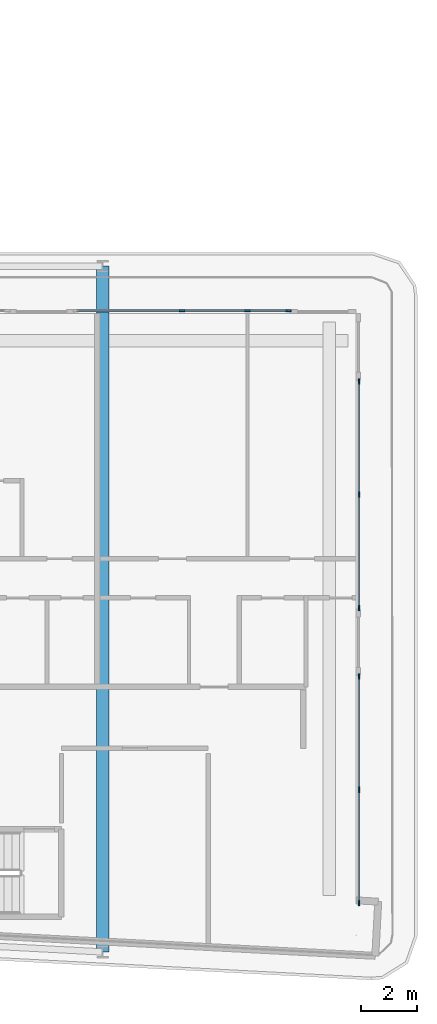
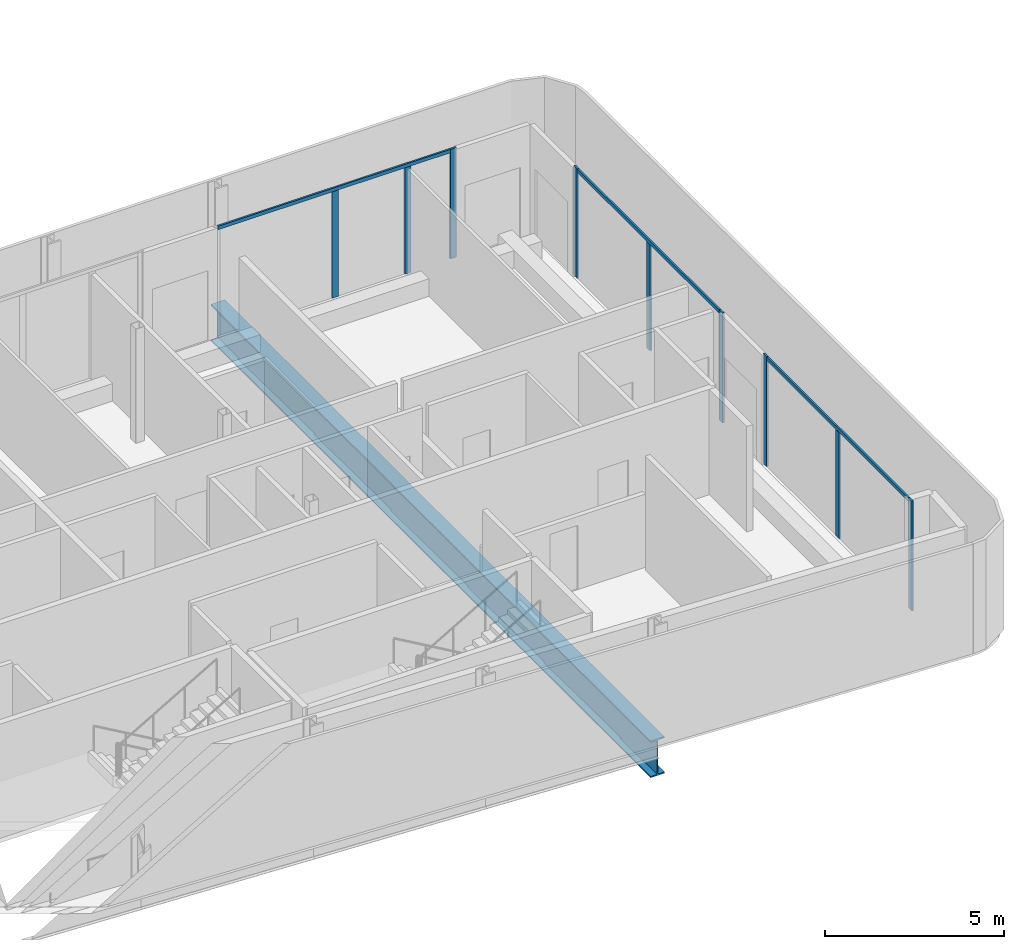
# One storey, part 10 of 29: 12 members, 1 beam, 3 elements without a shape of their own.
"""IFC4 building model written with IfcOpenShell, lengths in metres."""

from ifc_helpers import new_model, si_unit, direction, frame, origin, origin_2d, place, context, subcontext, project, spatial, rectangle, i_section, extrude, material, layer, layer_set, material_profile, profile_set, type_object, element, aggregate, save


model = new_model("IFC4")

# Units and contexts
model_context = context("Model", 3, precision=1e-05, world=origin(), true_north=direction((0.0, 1.0)))
body_context = subcontext(model_context, "Body", "Model", "MODEL_VIEW")
ifc_project = project(units=[si_unit("LENGTHUNIT", "METRE"), si_unit("AREAUNIT", "SQUARE_METRE"), si_unit("VOLUMEUNIT", "CUBIC_METRE"), si_unit("PLANEANGLEUNIT", "RADIAN"), si_unit("MASSUNIT", "GRAM", prefix="KILO")], contexts=[model_context])

# Site, building, storey
site_placement = place(None, origin())
site = spatial("IfcSite", under=ifc_project, at=site_placement, CompositionType="ELEMENT")
building_placement = place(site_placement, origin())
building = spatial("IfcBuilding", under=site, at=building_placement, Name="Kheshtan School and Residences Tower", CompositionType="ELEMENT")
storey_placement = place(building_placement, frame((0.0, 0.0, 183.800048828125)))
storey = spatial("IfcBuildingStorey", under=building, at=storey_placement, Name="L43", CompositionType="ELEMENT", Elevation=183.800048828125)

# Curtain wall, members
ifc_material_1 = material(Name="Clear low-e glass in thermally broken aluminium frame", Category="aluminium")
ifc_layer = layer(ifc_material_1, 0.199951171875)
ifc_layer_set = layer_set([ifc_layer], Name="Curtain wall CW-L")
curtain_wall_type = type_object("IfcCurtainWallType", Name="Curtain wall CW-L", PredefinedType="NOTDEFINED", material=ifc_layer_set)
curtain_wall_1_placement = place(storey_placement, origin())
curtain_wall_1 = element("IfcCurtainWall", 1, at=curtain_wall_1_placement, inside=storey, type_object=curtain_wall_type, Name="Curtain wall CWL12k", PredefinedType="NOTDEFINED")
ifc_material_2 = material(Name="Thermally broken aluminium, dark bronze anodised", Category="aluminium")
ifc_material_profile_1 = material_profile(ifc_material_2, rectangle(XDim=0.06005859375, YDim=0.199951171875, at=origin_2d()), Name="CW-L mullion 60x200")
ifc_profile_set_1 = profile_set([ifc_material_profile_1], Name="Thermally broken aluminium, dark bronze anodised")
member_type_1 = type_object("IfcMemberType", Name="CW-L mullion 60x200", PredefinedType="MULLION", material=ifc_profile_set_1)
member_1_placement = place(storey_placement, frame((93.653076171875, 44.0, 0.0), z_axis=(0.0, 0.0, 1.0), x_axis=(0.0, 1.0, 0.0)))
member_1 = element("IfcMember", 2, at=member_1_placement, type_object=member_type_1, Name="CWL12k mullion 2", PredefinedType="MULLION", context=body_context, shape_type="SweptSolid", body=[
    extrude(rectangle(XDim=0.06005859375, YDim=0.199951171875, at=origin_2d()), origin(), (0.0, 0.0, 1.0), 3.6298828125),
])
member_2_placement = place(storey_placement, frame((96.0, 44.0, 0.0), z_axis=(0.0, 0.0, 1.0), x_axis=(0.0, 1.0, 0.0)))
member_2 = element("IfcMember", 3, at=member_2_placement, type_object=member_type_1, Name="CWL12k mullion 3", PredefinedType="MULLION", context=body_context, shape_type="SweptSolid", body=[
    extrude(rectangle(XDim=0.06005859375, YDim=0.199951171875, at=origin_2d()), origin(), (0.0, 0.0, 1.0), 3.6298828125),
])
member_3_placement = place(storey_placement, frame((97.469970703125, 44.0, 0.0), z_axis=(0.0, 0.0, 1.0), x_axis=(0.0, 1.0, 0.0)))
member_3 = element("IfcMember", 4, at=member_3_placement, type_object=member_type_1, Name="CWL12k mullion 4", PredefinedType="MULLION", context=body_context, shape_type="SweptSolid", body=[
    extrude(rectangle(XDim=0.06005859375, YDim=0.199951171875, at=origin_2d()), origin(), (0.0, 0.0, 1.0), 3.75),
])

curtain_wall_2_placement = place(storey_placement, origin())
curtain_wall_2 = element("IfcCurtainWall", 5, at=curtain_wall_2_placement, inside=storey, type_object=curtain_wall_type, Name="Curtain wall CWL13b", PredefinedType="NOTDEFINED")
member_4_placement = place(storey_placement, frame((100.0, 41.469970703125, 0.0), z_axis=(0.0, 0.0, 1.0), x_axis=(1.0, 0.0, 0.0)))
member_4 = element("IfcMember", 6, at=member_4_placement, type_object=member_type_1, Name="CWL13b mullion 1", PredefinedType="MULLION", context=body_context, shape_type="SweptSolid", body=[
    extrude(rectangle(XDim=0.06005859375, YDim=0.199951171875, at=origin_2d()), origin(), (0.0, 0.0, 1.0), 3.75),
])
member_5_placement = place(storey_placement, frame((100.0, 37.403564453125, 0.0), z_axis=(0.0, 0.0, 1.0), x_axis=(1.0, 0.0, 0.0)))
member_5 = element("IfcMember", 7, at=member_5_placement, type_object=member_type_1, Name="CWL13b mullion 2", PredefinedType="MULLION", context=body_context, shape_type="SweptSolid", body=[
    extrude(rectangle(XDim=0.06005859375, YDim=0.199951171875, at=origin_2d()), origin(), (0.0, 0.0, 1.0), 3.6298828125),
])
member_6_placement = place(storey_placement, frame((100.0, 33.3369140625, 0.0), z_axis=(0.0, 0.0, 1.0), x_axis=(1.0, 0.0, 0.0)))
member_6 = element("IfcMember", 8, at=member_6_placement, type_object=member_type_1, Name="CWL13b mullion 3", PredefinedType="MULLION", context=body_context, shape_type="SweptSolid", body=[
    extrude(rectangle(XDim=0.06005859375, YDim=0.199951171875, at=origin_2d()), origin(), (0.0, 0.0, 1.0), 3.75),
])

curtain_wall_3_placement = place(storey_placement, origin())
curtain_wall_3 = element("IfcCurtainWall", 9, at=curtain_wall_3_placement, inside=storey, type_object=curtain_wall_type, Name="Curtain wall CWL13b", PredefinedType="NOTDEFINED")
member_7_placement = place(storey_placement, frame((100.0, 30.876953125, 0.0), z_axis=(0.0, 0.0, 1.0), x_axis=(1.0, 0.0, 0.0)))
member_7 = element("IfcMember", 10, at=member_7_placement, type_object=member_type_1, Name="CWL13b mullion 1", PredefinedType="MULLION", context=body_context, shape_type="SweptSolid", body=[
    extrude(rectangle(XDim=0.06005859375, YDim=0.199951171875, at=origin_2d()), origin(), (0.0, 0.0, 1.0), 3.75),
])
member_8_placement = place(storey_placement, frame((100.0, 26.810546875, 0.0), z_axis=(0.0, 0.0, 1.0), x_axis=(1.0, 0.0, 0.0)))
member_8 = element("IfcMember", 11, at=member_8_placement, type_object=member_type_1, Name="CWL13b mullion 2", PredefinedType="MULLION", context=body_context, shape_type="SweptSolid", body=[
    extrude(rectangle(XDim=0.06005859375, YDim=0.199951171875, at=origin_2d()), origin(), (0.0, 0.0, 1.0), 3.6298828125),
])
member_9_placement = place(storey_placement, frame((100.0, 22.743896484375, 0.0), z_axis=(0.0, 0.0, 1.0), x_axis=(1.0, 0.0, 0.0)))
member_9 = element("IfcMember", 12, at=member_9_placement, type_object=member_type_1, Name="CWL13b mullion 3", PredefinedType="MULLION", context=body_context, shape_type="SweptSolid", body=[
    extrude(rectangle(XDim=0.06005859375, YDim=0.199951171875, at=origin_2d()), origin(), (0.0, 0.0, 1.0), 3.75),
])

# Member
ifc_material_profile_2 = material_profile(ifc_material_2, rectangle(XDim=0.06005859375, YDim=0.1201171875, at=origin_2d()), Name="CW-L transom 60x120")
ifc_profile_set_2 = profile_set([ifc_material_profile_2], Name="Thermally broken aluminium, dark bronze anodised")
member_type_2 = type_object("IfcMemberType", Name="CW-L transom 60x120", PredefinedType="USERDEFINED", material=ifc_profile_set_2)
member_10_placement = place(storey_placement, frame((89.865966796875, 44.0, 3.68994140625), z_axis=(1.0, 0.0, 0.0), x_axis=(0.0, 1.0, 0.0)))
member_10 = element("IfcMember", 13, at=member_10_placement, type_object=member_type_2, Name="CWL12k transom 1", ObjectType="TRANSOM", PredefinedType="USERDEFINED", context=body_context, shape_type="SweptSolid", body=[
    extrude(rectangle(XDim=0.06005859375, YDim=0.1201171875, at=origin_2d()), origin(), (0.0, 0.0, 1.0), 7.573974609375),
])

aggregate(curtain_wall_1, [member_1, member_2, member_3, member_10])

member_11_placement = place(storey_placement, frame((100.0, 41.43994140625, 3.68994140625), z_axis=(0.0, -1.0, 0.0), x_axis=(1.0, 0.0, 0.0)))
member_11 = element("IfcMember", 14, at=member_11_placement, type_object=member_type_2, Name="CWL13b transom 1", ObjectType="TRANSOM", PredefinedType="USERDEFINED", context=body_context, shape_type="SweptSolid", body=[
    extrude(rectangle(XDim=0.06005859375, YDim=0.1201171875, at=origin_2d()), origin(), (0.0, 0.0, 1.0), 8.072998046875),
])

aggregate(curtain_wall_2, [member_4, member_5, member_6, member_11])

member_12_placement = place(storey_placement, frame((100.0, 30.846923828125, 3.68994140625), z_axis=(0.0, -1.0, 0.0), x_axis=(1.0, 0.0, 0.0)))
member_12 = element("IfcMember", 15, at=member_12_placement, type_object=member_type_2, Name="CWL13b transom 1", ObjectType="TRANSOM", PredefinedType="USERDEFINED", context=body_context, shape_type="SweptSolid", body=[
    extrude(rectangle(XDim=0.06005859375, YDim=0.1201171875, at=origin_2d()), origin(), (0.0, 0.0, 1.0), 8.072998046875),
])

aggregate(curtain_wall_3, [member_7, member_8, member_9, member_12])

# Beam
ifc_material_3 = material(Name="Steel ASTM A992 Grade 50", Category="steel")
ifc_material_profile_3 = material_profile(ifc_material_3, i_section(OverallWidth=0.449951171875, OverallDepth=1.25, WebThickness=0.02490234375, FlangeThickness=0.044921875, FilletRadius=0.03759765625, at=origin_2d()), Name="WWF1250x546")
ifc_profile_set_3 = profile_set([ifc_material_profile_3], Name="Steel ASTM A992 Grade 50")
beam_type = type_object("IfcBeamType", Name="Transfer girder TG4 WWF1250x546 ASTM A992 Grade 50", PredefinedType="BEAM", material=ifc_profile_set_3)
beam_placement = place(storey_placement, frame((90.800048828125, 45.60009765625, -0.775146484375), z_axis=(0.0, -1.0, 0.0), x_axis=(1.0, 0.0, 0.0)))
element("IfcBeam", 16, at=beam_placement, inside=storey, type_object=beam_type, Name="Transfer girder C068-C006", PredefinedType="BEAM", context=body_context, shape_type="SweptSolid", body=[
    extrude(i_section(OverallWidth=0.449951171875, OverallDepth=1.25, WebThickness=0.02490234375, FlangeThickness=0.044921875, FilletRadius=0.03759765625, at=origin_2d()), origin(), (0.0, 0.0, 1.0), 24.610107421875),
])

save(model, "model.ifc")
